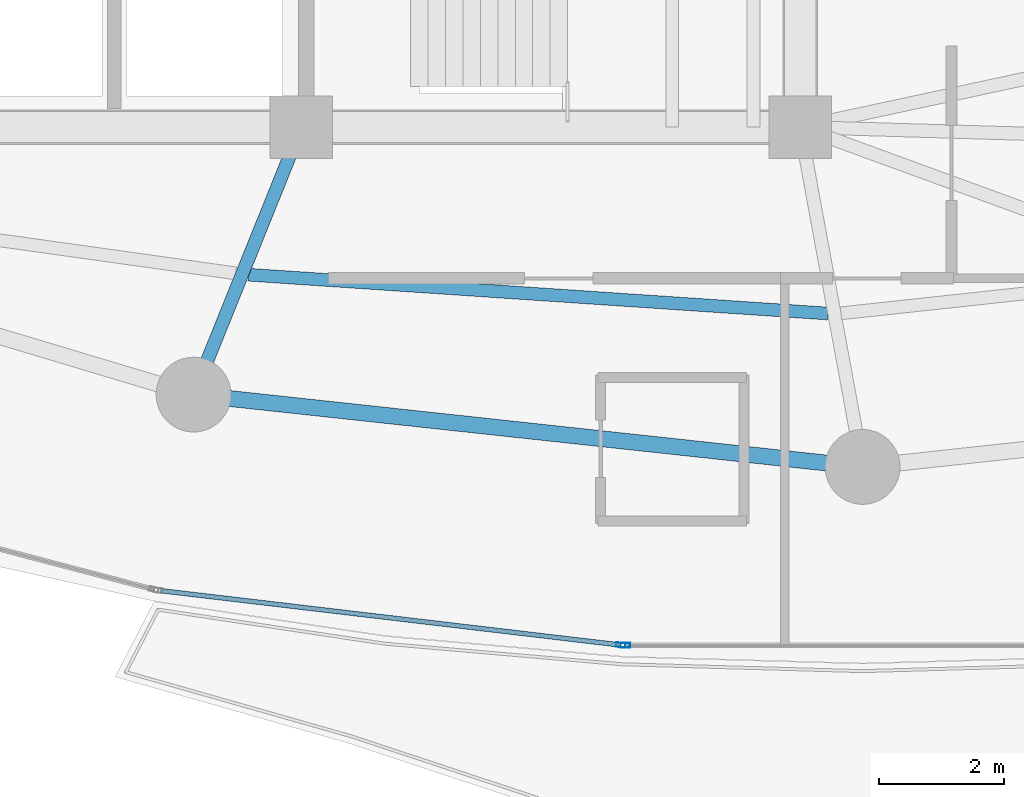
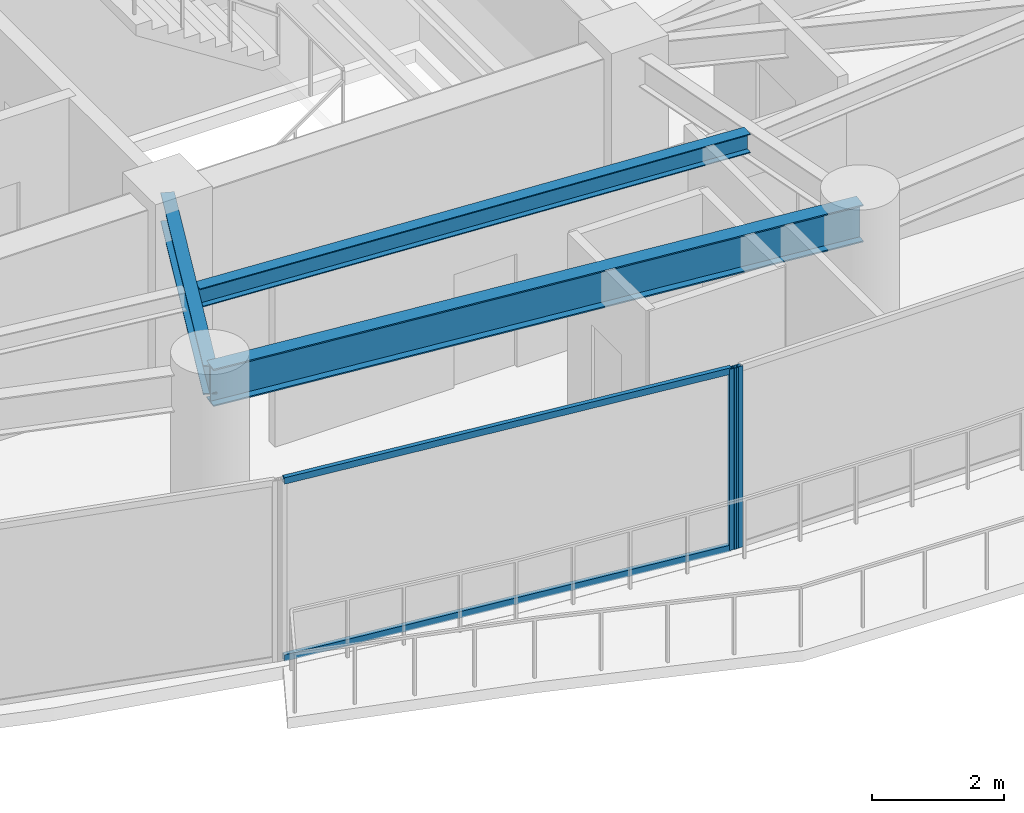
# One storey, part 6 of 34: 4 members, 3 beams, 2 elements without a shape of their own.
"""IFC4 building model written with IfcOpenShell, lengths in metres."""

from ifc_helpers import new_model, si_unit, direction, frame, origin, origin_2d, place, context, subcontext, project, spatial, hollow_rectangle, i_section, extrude, material, layer, layer_set, material_profile, profile_set, type_object, element, aggregate, save


model = new_model("IFC4")

# Units and contexts
model_context = context("Model", 3, precision=1e-05, world=origin(), true_north=direction((0.0, 1.0)))
body_context = subcontext(model_context, "Body", "Model", "MODEL_VIEW")
ifc_project = project(units=[si_unit("LENGTHUNIT", "METRE"), si_unit("AREAUNIT", "SQUARE_METRE"), si_unit("VOLUMEUNIT", "CUBIC_METRE"), si_unit("PLANEANGLEUNIT", "RADIAN"), si_unit("MASSUNIT", "GRAM", prefix="KILO")], contexts=[model_context])

# Site, building, storey
site_placement = place(None, origin())
site = spatial("IfcSite", under=ifc_project, at=site_placement, CompositionType="ELEMENT")
building_placement = place(site_placement, origin())
building = spatial("IfcBuilding", under=site, at=building_placement, Name="Kazevale Care Tower and Concert Hall", CompositionType="ELEMENT")
storey_placement = place(building_placement, frame((0.0, 0.0, 174.60009765625)))
storey = spatial("IfcBuildingStorey", under=building, at=storey_placement, Name="L46", CompositionType="ELEMENT", Elevation=174.60009765625)

# Curtain wall, member
ifc_material_1 = material(Name="Aluminium 6063-T6 and Low-E Glass", Category="aluminium")
ifc_layer = layer(ifc_material_1, 0.179931640625)
ifc_layer_set = layer_set([ifc_layer], Name="Aluminium 6063-T6 and Low-E Glass")
curtain_wall_type = type_object("IfcCurtainWallType", Name="Sheltered Concave Balcony Curtain Wall CW-5", PredefinedType="NOTDEFINED", material=ifc_layer_set)
curtain_wall_1_placement = place(storey_placement, origin())
curtain_wall_1 = element("IfcCurtainWall", 1, at=curtain_wall_1_placement, inside=storey, type_object=curtain_wall_type, Name="cw:L46:f06", PredefinedType="NOTDEFINED")
ifc_material_2 = material(Name="Aluminium 6063-T6", Category="aluminium")
ifc_material_profile_1 = material_profile(ifc_material_2, hollow_rectangle(XDim=0.074951171875, YDim=0.14990234375, WallThickness=0.00390625, at=origin_2d()), Name="ALU75x150x4")
ifc_profile_set_1 = profile_set([ifc_material_profile_1], Name="Aluminium 6063-T6")
member_type_1 = type_object("IfcMemberType", Name="CW-5 Mullion ALU75x150x4", PredefinedType="MULLION", material=ifc_profile_set_1)
member_1_placement = place(storey_placement, frame((41.196533203125, 15.2890625, 0.0), z_axis=(0.0, 0.0, 1.0), x_axis=(0.0, -1.0, 0.0)))
member_1 = element("IfcMember", 2, at=member_1_placement, type_object=member_type_1, Name="CW-5 mullion 2", PredefinedType="MULLION", context=body_context, shape_type="SweptSolid", body=[
    extrude(hollow_rectangle(XDim=0.074951171875, YDim=0.14990234375, WallThickness=0.00390625, at=origin_2d()), origin(), (0.0, 0.0, 1.0), 3.35986328125),
])
aggregate(curtain_wall_1, [member_1])

# Curtain wall, members
curtain_wall_2_placement = place(storey_placement, origin())
curtain_wall_2 = element("IfcCurtainWall", 3, at=curtain_wall_2_placement, inside=storey, type_object=curtain_wall_type, Name="cw:L46:f07", PredefinedType="NOTDEFINED")
member_2_placement = place(storey_placement, frame((41.121826171875, 15.29345703125, 0.0), z_axis=(0.0, 0.0, 1.0), x_axis=(-0.117372179238, -0.993087997884, 0.0)))
member_2 = element("IfcMember", 4, at=member_2_placement, type_object=member_type_1, Name="CW-5 mullion 1", PredefinedType="MULLION", context=body_context, shape_type="SweptSolid", body=[
    extrude(hollow_rectangle(XDim=0.074951171875, YDim=0.14990234375, WallThickness=0.00390625, at=origin_2d()), origin(), (0.0, 0.0, 1.0), 3.35986328125),
])
ifc_material_profile_2 = material_profile(ifc_material_2, hollow_rectangle(XDim=0.074951171875, YDim=0.1201171875, WallThickness=0.00390625, at=origin_2d()), Name="ALU75x120x4")
ifc_profile_set_2 = profile_set([ifc_material_profile_2], Name="Aluminium 6063-T6")
member_type_2 = type_object("IfcMemberType", Name="CW-5 Transom ALU75x120x4", PredefinedType="USERDEFINED", material=ifc_profile_set_2)
member_3_placement = place(storey_placement, frame((41.08447265625, 15.2978515625, 0.037353515625), z_axis=(-0.993087545854, 0.117376003806, 0.0), x_axis=(-0.117376003806, -0.993087545854, 0.0)))
member_3 = element("IfcMember", 5, at=member_3_placement, type_object=member_type_2, Name="CW-5 transom 1.1", ObjectType="TRANSOM", PredefinedType="USERDEFINED", context=body_context, shape_type="SweptSolid", body=[
    extrude(hollow_rectangle(XDim=0.074951171875, YDim=0.1201171875, WallThickness=0.00390625, at=origin_2d()), origin(), (0.0, 0.0, 1.0), 7.39013671875),
])
member_4_placement = place(storey_placement, frame((41.08447265625, 15.2978515625, 3.322509765625), z_axis=(-0.993087545854, 0.117376003806, 0.0), x_axis=(-0.117376003806, -0.993087545854, 0.0)))
member_4 = element("IfcMember", 6, at=member_4_placement, type_object=member_type_2, Name="CW-5 transom 1.2", ObjectType="TRANSOM", PredefinedType="USERDEFINED", context=body_context, shape_type="SweptSolid", body=[
    extrude(hollow_rectangle(XDim=0.074951171875, YDim=0.1201171875, WallThickness=0.00390625, at=origin_2d()), origin(), (0.0, 0.0, 1.0), 7.39013671875),
])
aggregate(curtain_wall_2, [member_2, member_3, member_4])

# Beams
ifc_material_3 = material(Name="Steel ASTM A572 Gr 50", Category="steel")
ifc_material_profile_3 = material_profile(ifc_material_3, i_section(OverallWidth=0.2119140625, OverallDepth=0.5439453125, WebThickness=0.01318359375, FlangeThickness=0.021240234375, at=origin_2d()), Name="W530x123")
ifc_profile_set_3 = profile_set([ifc_material_profile_3], Name="Steel ASTM A572 Gr 50")
beam_type_1 = type_object("IfcBeamType", Name="Radial Floor Girder W530x123", PredefinedType="BEAM", material=ifc_profile_set_3)
beam_1_placement = place(storey_placement, frame((36.0, 23.60009765625, 3.087890625), z_axis=(-0.373991766452, -0.927432023722, 0.0), x_axis=(0.927432023722, -0.373991766452, 0.0)))
element("IfcBeam", 7, at=beam_1_placement, inside=storey, type_object=beam_type_1, Name="beam:L46:rad:12", PredefinedType="BEAM", context=body_context, shape_type="SweptSolid", body=[
    extrude(i_section(OverallWidth=0.2119140625, OverallDepth=0.5439453125, WebThickness=0.01318359375, FlangeThickness=0.021240234375, at=origin_2d()), origin(), (0.0, 0.0, 1.0), 4.625732421875),
])
ifc_material_profile_4 = material_profile(ifc_material_3, i_section(OverallWidth=0.205078125, OverallDepth=0.35400390625, WebThickness=0.009521484375, FlangeThickness=0.016845703125, at=origin_2d()), Name="W360x79")
ifc_profile_set_4 = profile_set([ifc_material_profile_4], Name="Steel ASTM A572 Gr 50")
beam_type_2 = type_object("IfcBeamType", Name="Secondary Floor Joist W360x79", PredefinedType="JOIST", material=ifc_profile_set_4)
beam_2_placement = place(storey_placement, frame((35.153076171875, 21.23291015625, 3.182861328125), z_axis=(0.997761314569, -0.06687569925, 0.0), x_axis=(0.06687569925, 0.997761314569, 0.0)))
element("IfcBeam", 8, at=beam_2_placement, inside=storey, type_object=beam_type_2, Name="beam:L46:joist:12", PredefinedType="JOIST", context=body_context, shape_type="SweptSolid", body=[
    extrude(i_section(OverallWidth=0.205078125, OverallDepth=0.35400390625, WebThickness=0.009521484375, FlangeThickness=0.016845703125, at=origin_2d()), origin(), (0.0, 0.0, 1.0), 9.312744140625),
])
ifc_material_profile_5 = material_profile(ifc_material_3, i_section(OverallWidth=0.256103515625, OverallDepth=0.693115234375, WebThickness=0.014404296875, FlangeThickness=0.023681640625, at=origin_2d()), Name="W690x170")
ifc_profile_set_5 = profile_set([ifc_material_profile_5], Name="Steel ASTM A572 Gr 50")
beam_type_3 = type_object("IfcBeamType", Name="Waist Ring Beam W690x170", PredefinedType="BEAM", material=ifc_profile_set_5)
beam_3_placement = place(storey_placement, frame((34.27001953125, 19.31005859375, 3.013427734375), z_axis=(0.994205479487, -0.107496346724, 0.0), x_axis=(0.107496346724, 0.994205479487, 0.0)))
element("IfcBeam", 9, at=beam_3_placement, inside=storey, type_object=beam_type_3, Name="beam:L46:ring:12", PredefinedType="BEAM", context=body_context, shape_type="SweptSolid", body=[
    extrude(i_section(OverallWidth=0.256103515625, OverallDepth=0.693115234375, WebThickness=0.014404296875, FlangeThickness=0.023681640625, at=origin_2d()), origin(), (0.0, 0.0, 1.0), 10.79248046875),
])

save(model, "model.ifc")
